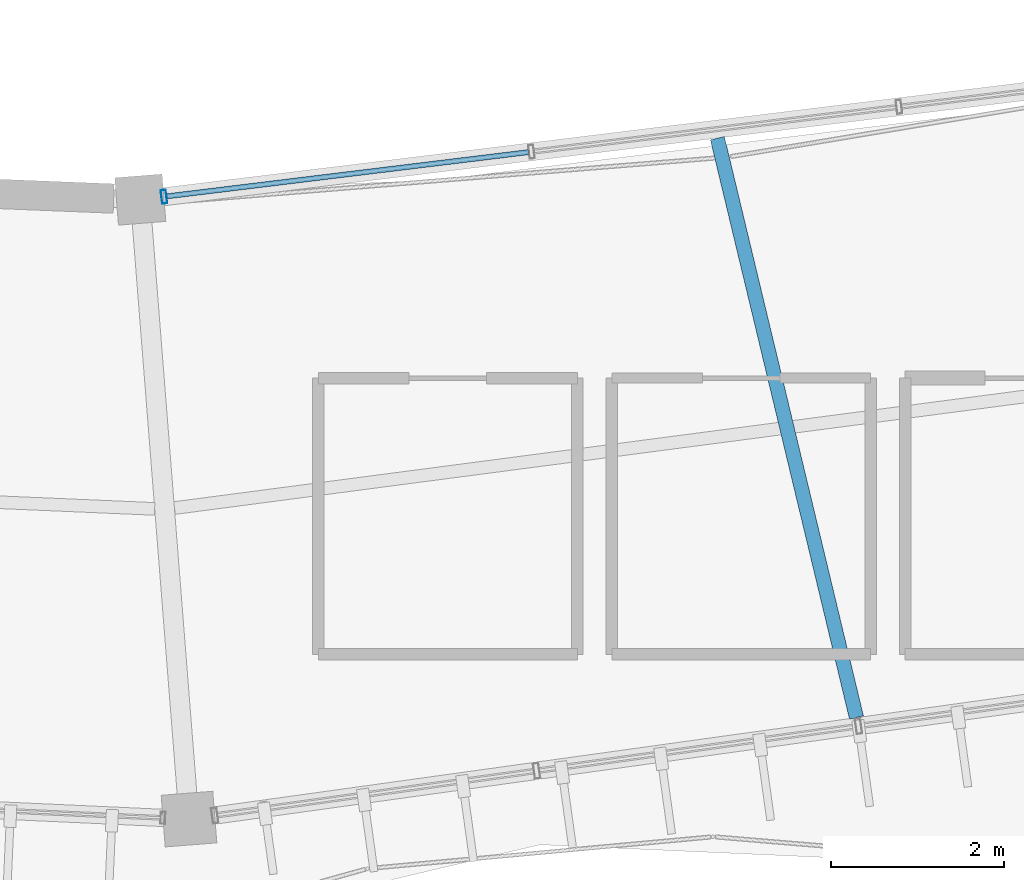
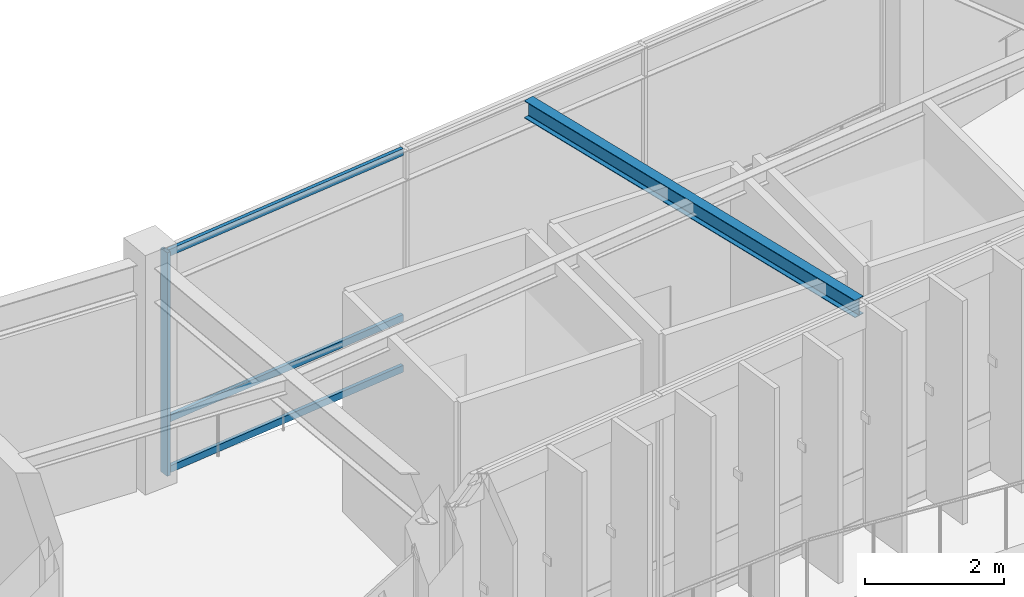
# One storey, part 29 of 83: 4 members, 1 beam, 1 element without a shape of its own.
"""IFC4 building model written with IfcOpenShell, lengths in metres."""

from ifc_helpers import new_model, si_unit, direction, frame, origin, origin_2d, place, context, subcontext, project, spatial, hollow_rectangle, i_section, extrude, material, material_profile, profile_set, type_object, element, aggregate, save


model = new_model("IFC4")

# Units and contexts
model_context = context("Model", 3, precision=1e-05, world=origin(), true_north=direction((0.0, 1.0)))
body_context = subcontext(model_context, "Body", "Model", "MODEL_VIEW")
ifc_project = project(units=[si_unit("LENGTHUNIT", "METRE"), si_unit("AREAUNIT", "SQUARE_METRE"), si_unit("VOLUMEUNIT", "CUBIC_METRE"), si_unit("PLANEANGLEUNIT", "RADIAN"), si_unit("MASSUNIT", "GRAM", prefix="KILO"), si_unit("THERMODYNAMICTEMPERATUREUNIT", "KELVIN"), si_unit("POWERUNIT", "WATT")], contexts=[model_context])

# Site, building, storey
site_placement = place(None, origin())
site = spatial("IfcSite", under=ifc_project, at=site_placement, CompositionType="ELEMENT")
building_placement = place(site_placement, origin())
building = spatial("IfcBuilding", under=site, at=building_placement, Name="Darbajah Civic Hall", CompositionType="ELEMENT")
storey_placement = place(building_placement, frame((0.0, 0.0, 18.0)))
storey = spatial("IfcBuildingStorey", under=building, at=storey_placement, Name="L04", CompositionType="ELEMENT", Elevation=18.0)

# Curtain wall, members
ifc_material_1 = material(Name="Anodised Bronze Aluminium and Low-E Glazing", Category="aluminium")
curtain_wall_type = type_object("IfcCurtainWallType", Name="Unitised Curtain Wall CW-73 12900x3900", PredefinedType="USERDEFINED", material=ifc_material_1)
curtain_wall_placement = place(storey_placement, origin())
curtain_wall = element("IfcCurtainWall", 1, at=curtain_wall_placement, inside=storey, type_object=curtain_wall_type, Name="L04 unitised curtain wall CW-V1I-L04-15", ObjectType="UNITISED CURTAIN WALL", PredefinedType="USERDEFINED")
ifc_material_2 = material(Name="Anodised Bronze Aluminium", Category="aluminium")
ifc_material_profile_1 = material_profile(ifc_material_2, hollow_rectangle(XDim=0.06005859375, YDim=0.159912109375, WallThickness=0.00341796875, at=origin_2d()), Name="ALU MULLION 60x160")
ifc_profile_set_1 = profile_set([ifc_material_profile_1], Name="Anodised Bronze Aluminium")
member_type_1 = type_object("IfcMemberType", Name="ALU MULLION 60x160", PredefinedType="MULLION", material=ifc_profile_set_1)
member_1_placement = place(storey_placement, frame((92.8115234375, 67.602294921875, 0.0), z_axis=(0.0, 0.0, 1.0), x_axis=(0.992609826221, 0.121349630774, 0.0)))
member_1 = element("IfcMember", 2, at=member_1_placement, type_object=member_type_1, Name="CW-V1I-L04-15 mullion 1", PredefinedType="MULLION", context=body_context, shape_type="SweptSolid", body=[
    extrude(hollow_rectangle(XDim=0.06005859375, YDim=0.159912109375, WallThickness=0.00341796875, at=origin_2d()), origin(), (0.0, 0.0, 1.0), 3.919921875),
])
ifc_material_profile_2 = material_profile(ifc_material_2, hollow_rectangle(XDim=0.06005859375, YDim=0.1201171875, WallThickness=0.003173828125, at=origin_2d()), Name="ALU TRANSOM 60x120")
ifc_profile_set_2 = profile_set([ifc_material_profile_2], Name="Anodised Bronze Aluminium")
member_type_2 = type_object("IfcMemberType", Name="ALU TRANSOM 60x120", PredefinedType="USERDEFINED", material=ifc_profile_set_2)
member_2_placement = place(storey_placement, frame((92.84619140625, 67.6064453125, 0.06005859375), z_axis=(0.992607169186, 0.121371362685, 0.0), x_axis=(-0.121371362685, 0.992607169186, 0.0)))
member_2 = element("IfcMember", 3, at=member_2_placement, type_object=member_type_2, Name="CW-V1I-L04-15 transom 1.1", ObjectType="TRANSOM", PredefinedType="USERDEFINED", context=body_context, shape_type="SweptSolid", body=[
    extrude(hollow_rectangle(XDim=0.06005859375, YDim=0.1201171875, WallThickness=0.003173828125, at=origin_2d()), origin(), (0.0, 0.0, 1.0), 4.22021484375),
])
member_3_placement = place(storey_placement, frame((92.84619140625, 67.6064453125, 0.949951171875), z_axis=(0.992607169186, 0.121371362685, 0.0), x_axis=(-0.121371362685, 0.992607169186, 0.0)))
member_3 = element("IfcMember", 4, at=member_3_placement, type_object=member_type_2, Name="CW-V1I-L04-15 transom 1.2", ObjectType="TRANSOM", PredefinedType="USERDEFINED", context=body_context, shape_type="SweptSolid", body=[
    extrude(hollow_rectangle(XDim=0.06005859375, YDim=0.1201171875, WallThickness=0.003173828125, at=origin_2d()), origin(), (0.0, 0.0, 1.0), 4.22021484375),
])
member_4_placement = place(storey_placement, frame((92.84619140625, 67.6064453125, 3.860107421875), z_axis=(0.992607169186, 0.121371362685, 0.0), x_axis=(-0.121371362685, 0.992607169186, 0.0)))
member_4 = element("IfcMember", 5, at=member_4_placement, type_object=member_type_2, Name="CW-V1I-L04-15 transom 1.3", ObjectType="TRANSOM", PredefinedType="USERDEFINED", context=body_context, shape_type="SweptSolid", body=[
    extrude(hollow_rectangle(XDim=0.06005859375, YDim=0.1201171875, WallThickness=0.003173828125, at=origin_2d()), origin(), (0.0, 0.0, 1.0), 4.22021484375),
])
aggregate(curtain_wall, [member_1, member_2, member_3, member_4])

# Beam
ifc_material_3 = material(Name="Steel S355JR", Category="steel")
ifc_material_profile_3 = material_profile(ifc_material_3, i_section(OverallWidth=0.165771484375, OverallDepth=0.306640625, WebThickness=0.006591796875, FlangeThickness=0.01171875, FilletRadius=0.0087890625, at=origin_2d()), Name="UB 305x165x46")
ifc_profile_set_3 = profile_set([ifc_material_profile_3], Name="Steel S355JR")
beam_type = type_object("IfcBeamType", Name="UB 305x165x46", PredefinedType="JOIST", material=ifc_profile_set_3)
beam_placement = place(storey_placement, frame((99.2236328125, 68.280029296875, 3.7666015625), z_axis=(0.233446518106, -0.972369643286, 0.0), x_axis=(0.972369643286, 0.233446518106, 0.0)))
element("IfcBeam", 6, at=beam_placement, inside=storey, type_object=beam_type, Name="L04 beam SJ-305", PredefinedType="JOIST", context=body_context, shape_type="SweptSolid", body=[
    extrude(i_section(OverallWidth=0.165771484375, OverallDepth=0.306640625, WebThickness=0.006591796875, FlangeThickness=0.01171875, FilletRadius=0.0087890625, at=origin_2d()), origin(), (0.0, 0.0, 1.0), 6.9033203125),
])

save(model, "model.ifc")
